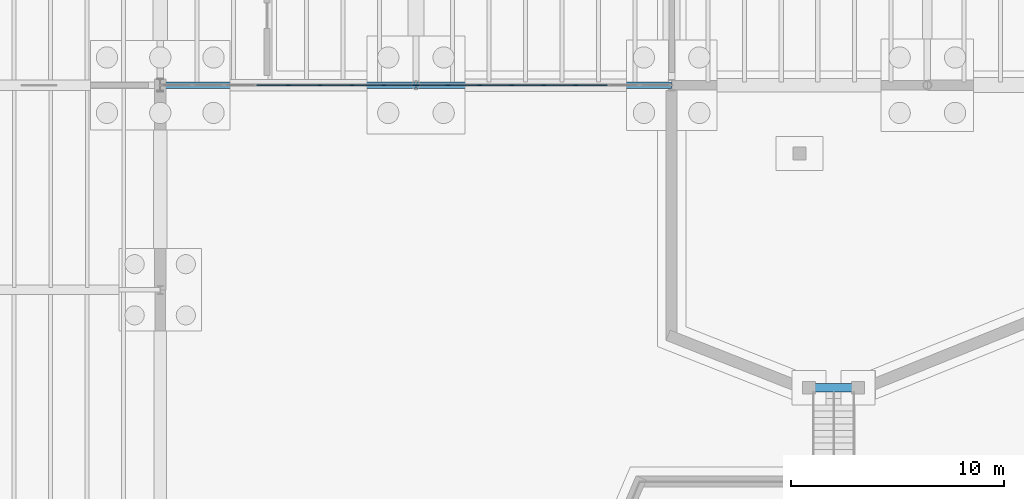
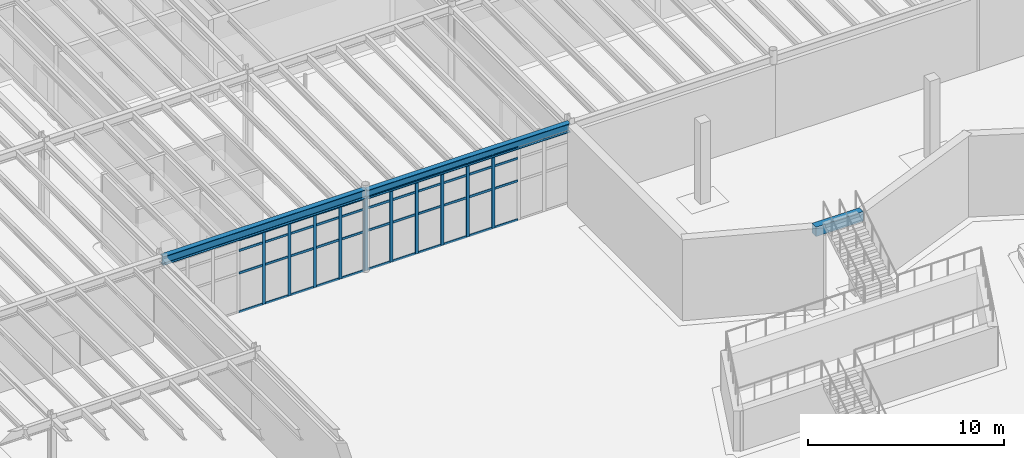
# One storey, part 24 of 67: 55 members, 3 beams, 2 elements without a shape of their own.
"""IFC4 building model written with IfcOpenShell, lengths in metres."""

import ifcopenshell
import ifcopenshell.guid

model = None  # the IFC model being written
_history = None  # IfcOwnerHistory: only IFC2X3 demands one
_inside = {}  # id of a spatial element -> (the spatial element, [elements in it])
_under = {}  # id of a project, library or spatial element -> (it, [spatial elements below it])
_declared = {}  # id of a project -> (the project, [libraries it declares])
_typed = {}  # id of a type object -> (the type object, [elements of that type])
_made_of = {}  # id of a material, layer set ... -> (it, [elements and type objects made of it])


def new_model(schema):
    """Start an empty IFC model of exactly this schema.

    Asked for "IFC4X3", IfcOpenShell would pick the latest addendum, in which some entities
    have other attributes; the version numbers below select the first issue.
    IFC2X3 requires an IfcOwnerHistory on every rooted entity: one is made here for all.
    """
    global model, _history
    if schema == "IFC4X3":
        model = ifcopenshell.file(schema_version=(4, 3, 0, 0))
    else:
        model = ifcopenshell.file(schema=schema)
    _inside.clear()
    _under.clear()
    _declared.clear()
    _typed.clear()
    _made_of.clear()
    _history = None
    if model.schema == "IFC2X3":
        org = make("IfcOrganization", Name="unknown")
        user = make(
            "IfcPersonAndOrganization",
            ThePerson=make("IfcPerson", FamilyName="unknown"),
            TheOrganization=org,
        )
        app = make(
            "IfcApplication",
            ApplicationDeveloper=org,
            Version="unknown",
            ApplicationFullName="unknown",
            ApplicationIdentifier="unknown",
        )
        _history = make(
            "IfcOwnerHistory",
            OwningUser=user,
            OwningApplication=app,
            ChangeAction="ADDED",
            CreationDate=0,
        )
    return model


def make(cls, **values):
    """One entity of the class cls with the attributes given. An attribute that is None is left unset."""
    return model.create_entity(
        cls, **{name: value for name, value in values.items() if value is not None}
    )


def rooted(cls, **values):
    """An entity with a GlobalId (a new one), such as an element, a storey or a relation."""
    return make(cls, GlobalId=ifcopenshell.guid.new(), OwnerHistory=_history, **values)


def si_unit(unit_type, name, prefix=None):
    """IfcSIUnit, for example si_unit("LENGTHUNIT", "METRE", prefix="MILLI")."""
    return make("IfcSIUnit", UnitType=unit_type, Prefix=prefix, Name=name)


def assignment(units):
    """IfcUnitAssignment: the units of a project."""
    return None if units is None else make("IfcUnitAssignment", Units=units)


def point(xyz):
    """IfcCartesianPoint."""
    return None if xyz is None else make("IfcCartesianPoint", Coordinates=xyz)


def direction(xyz):
    """IfcDirection."""
    return None if xyz is None else make("IfcDirection", DirectionRatios=xyz)


def frame(location, z_axis=None, x_axis=None):
    """IfcAxis2Placement3D, a coordinate frame: its origin and axes. An axis left out is left unset."""
    return make(
        "IfcAxis2Placement3D",
        Location=point(location),
        Axis=direction(z_axis),
        RefDirection=direction(x_axis),
    )


def frame_2d(location, x_axis=None):
    """IfcAxis2Placement2D, a coordinate frame in the plane: its origin and x axis."""
    return make(
        "IfcAxis2Placement2D", Location=point(location), RefDirection=direction(x_axis)
    )


def origin():
    """The frame at (0, 0, 0) with its axes left unset."""
    return frame((0.0, 0.0, 0.0))


def origin_2d():
    """The frame at (0, 0) in the plane with its x axis left unset."""
    return frame_2d((0.0, 0.0))


def place(relative_to, where):
    """IfcLocalPlacement: puts the frame where relative to a parent placement (None: the world)."""
    return make(
        "IfcLocalPlacement", PlacementRelTo=relative_to, RelativePlacement=where
    )


def context(
    kind, dimensions, precision=None, world=None, true_north=None, identifier=None
):
    """IfcGeometricRepresentationContext, for example the 3D "Model" context."""
    return make(
        "IfcGeometricRepresentationContext",
        ContextIdentifier=identifier,
        ContextType=kind,
        CoordinateSpaceDimension=dimensions,
        Precision=precision,
        WorldCoordinateSystem=world,
        TrueNorth=true_north,
    )


def subcontext(parent, identifier, kind, view, scale=None):
    """IfcGeometricRepresentationSubContext, for example "Body" below "Model"."""
    return make(
        "IfcGeometricRepresentationSubContext",
        ContextIdentifier=identifier,
        ContextType=kind,
        ParentContext=parent,
        TargetScale=scale,
        TargetView=view,
    )


def project(units=None, contexts=None):
    """IfcProject with its units and contexts."""
    return rooted(
        "IfcProject",
        Name="project",
        RepresentationContexts=contexts,
        UnitsInContext=assignment(units),
    )


def spatial(cls, under=None, at=None, **own):
    """A site, building, storey or space (cls), placed at a placement, below another one or the project."""
    s = rooted(cls, ObjectPlacement=at, **own)
    if under is not None:
        _under.setdefault(under.id(), (under, []))[1].append(s)
    return s


def profile(cls, at=None, kind="AREA", **sizes):
    """A parametric profile (cls). Its sizes go by their IFC names, for example OverallWidth=200.0."""
    return make(cls, ProfileType=kind, Position=at, **sizes)


def rectangle(**sizes):
    """IfcRectangleProfileDef."""
    return profile("IfcRectangleProfileDef", **sizes)


def i_section(**sizes):
    """IfcIShapeProfileDef."""
    return profile("IfcIShapeProfileDef", **sizes)


def extrude(swept, where, along, depth):
    """IfcExtrudedAreaSolid: the profile swept, set in the frame where, extruded along a direction by depth."""
    return make(
        "IfcExtrudedAreaSolid",
        SweptArea=swept,
        Position=where,
        ExtrudedDirection=direction(along),
        Depth=depth,
    )


def shape(context_of_items, identifier, shape_type, items):
    """IfcShapeRepresentation: the items that make up one representation, for example the "Body"."""
    return make(
        "IfcShapeRepresentation",
        ContextOfItems=context_of_items,
        RepresentationIdentifier=identifier,
        RepresentationType=shape_type,
        Items=items,
    )


def material(Name=None, Category=None):
    """IfcMaterial."""
    return make("IfcMaterial", Name=Name, Category=Category)


def layer(
    of_material, thickness, ventilated=None, Name=None, Category=None, Priority=None
):
    """IfcMaterialLayer: one layer of a wall or slab, of a material (None: an air gap)."""
    return make(
        "IfcMaterialLayer",
        Material=of_material,
        LayerThickness=thickness,
        IsVentilated=ventilated,
        Name=Name,
        Category=Category,
        Priority=Priority,
    )


def layer_set(layers, Name=None):
    """IfcMaterialLayerSet."""
    return make("IfcMaterialLayerSet", MaterialLayers=layers, LayerSetName=Name)


def material_profile(
    of_material, cross_section, Name=None, Category=None, Priority=None
):
    """IfcMaterialProfile: a cross section and its material."""
    return make(
        "IfcMaterialProfile",
        Name=Name,
        Material=of_material,
        Profile=cross_section,
        Priority=Priority,
        Category=Category,
    )


def profile_set(profiles, Name=None, composite=None):
    """IfcMaterialProfileSet."""
    return make(
        "IfcMaterialProfileSet",
        Name=Name,
        MaterialProfiles=profiles,
        CompositeProfile=composite,
    )


def made_of(thing, what):
    """Note that an element or type object is made of a material, layer set ...; save() writes the relation."""
    if what is not None:
        _made_of.setdefault(what.id(), (what, []))[1].append(thing)
    return thing


def type_object(cls, material=None, **own):
    """A type object (cls), such as IfcWallType, which elements share."""
    return made_of(rooted(cls, **own), material)


def element(
    cls,
    number,
    at=None,
    inside=None,
    cuts=None,
    type_object=None,
    material=None,
    context=None,
    identifier="Body",
    shape_type=None,
    held_by="IfcProductDefinitionShape",
    body=None,
    shapes=None,
    **own,
):
    """One element of the class cls, such as IfcWall. Its Tag is "e" and its number.

    at: its placement. inside: the storey or other place that contains it. cuts: it is an
    opening in that element (IfcRelVoidsElement). A single representation is given by context,
    identifier, shape_type and body (its items); several are given by shapes. held_by: the class
    of the entity that holds the representations. save() writes the other relations.
    """
    e = rooted(cls, Tag="e%d" % number, ObjectPlacement=at, **own)
    if body is not None:
        shapes = [shape(context, identifier, shape_type, body)]
    if shapes is not None:
        e.Representation = make(held_by, Representations=shapes)
    if inside is not None:
        _inside.setdefault(inside.id(), (inside, []))[1].append(e)
    if cuts is not None:
        rooted(
            "IfcRelVoidsElement", RelatingBuildingElement=cuts, RelatedOpeningElement=e
        )
    if type_object is not None:
        _typed.setdefault(type_object.id(), (type_object, []))[1].append(e)
    return made_of(e, material)


def aggregate(whole, parts):
    """IfcRelAggregates: a whole, such as a stair, and the parts it consists of."""
    return rooted("IfcRelAggregates", RelatingObject=whole, RelatedObjects=parts)


def save(model, path):
    """Write the relations noted so far, then the file.

    IfcRelAggregates (storeys below a building ...), IfcRelContainedInSpatialStructure (elements
    in a storey), IfcRelDefinesByType, IfcRelAssociatesMaterial and IfcRelDeclares: one each for
    every whole, place, type object, material and project.
    """
    for whole, parts in _under.values():
        aggregate(whole, parts)
    for where, things in _inside.values():
        rooted(
            "IfcRelContainedInSpatialStructure",
            RelatedElements=things,
            RelatingStructure=where,
        )
    for kind, things in _typed.values():
        rooted("IfcRelDefinesByType", RelatedObjects=things, RelatingType=kind)
    for what, things in _made_of.values():
        rooted("IfcRelAssociatesMaterial", RelatedObjects=things, RelatingMaterial=what)
    for by, libraries in _declared.values():
        rooted("IfcRelDeclares", RelatingContext=by, RelatedDefinitions=libraries)
    model.write(path)


model = new_model("IFC4")

# Units and contexts
model_context = context("Model", 3, precision=1e-05, world=origin(), true_north=direction((0.0, 1.0)))
body_context = subcontext(model_context, "Body", "Model", "MODEL_VIEW")
ifc_project = project(units=[si_unit("LENGTHUNIT", "METRE"), si_unit("AREAUNIT", "SQUARE_METRE"), si_unit("VOLUMEUNIT", "CUBIC_METRE"), si_unit("PLANEANGLEUNIT", "RADIAN"), si_unit("MASSUNIT", "GRAM", prefix="KILO")], contexts=[model_context])

# Site, building, storey
site_placement = place(None, origin())
site = spatial("IfcSite", under=ifc_project, at=site_placement, CompositionType="ELEMENT")
building_placement = place(site_placement, origin())
building = spatial("IfcBuilding", under=site, at=building_placement, Name="Zlatogorsky Bluff Art Gallery", CompositionType="ELEMENT")
storey_placement = place(building_placement, frame((0.0, 0.0, -5.39990234375)))
storey = spatial("IfcBuildingStorey", under=building, at=storey_placement, Name="B1", CompositionType="ELEMENT", Elevation=-5.39990234375)

# Beams
ifc_material_1 = material(Name="Steel S355", Category="steel")
ifc_material_profile_1 = material_profile(ifc_material_1, i_section(OverallWidth=0.300048828125, OverallDepth=0.550048828125, WebThickness=0.014892578125, FlangeThickness=0.029052734375, FilletRadius=0.027099609375, at=origin_2d()), Name="HEB 550")
ifc_profile_set_1 = profile_set([ifc_material_profile_1], Name="Steel S355")
beam_type_1 = type_object("IfcBeamType", Name="Beam BM-01 HEB 550", PredefinedType="BEAM", material=ifc_profile_set_1)
for number, where, z_axis, x_axis, name in (
    (1, (24.014892578125, 84.0, 4.844970703125), (1.0, 0.0, 0.0), (0.0, 1.0, 0.0), "Primary girder BM-01 B1 C-D/9"),
    (2, (36.014892578125, 84.0, 4.764892578125), (1.0, 0.0, 0.0), (0.0, 1.0, 0.0), "Primary girder BM-01 B1 D-E/9"),
):
    element("IfcBeam", number, at=place(storey_placement, frame(where, z_axis=z_axis, x_axis=x_axis)), inside=storey, type_object=beam_type_1, Name=name, PredefinedType="BEAM", context=body_context, shape_type="SweptSolid", body=[
        extrude(i_section(OverallWidth=0.300048828125, OverallDepth=0.550048828125, WebThickness=0.014892578125, FlangeThickness=0.029052734375, FilletRadius=0.027099609375, at=origin_2d()), origin(), (0.0, 0.0, 1.0), 11.97021484375),
    ])
ifc_material_2 = material(Name="Concrete C35/45", Category="concrete")
ifc_material_profile_2 = material_profile(ifc_material_2, rectangle(XDim=0.39990234375, YDim=0.60009765625, at=origin_2d()), Name="RCB 400x600")
ifc_profile_set_2 = profile_set([ifc_material_profile_2], Name="Concrete C35/45")
beam_type_2 = type_object("IfcBeamType", Name="Beam BM-15 RCB 400x600", PredefinedType="BEAM", material=ifc_profile_set_2)
beam_placement = place(storey_placement, frame((54.199951171875, 69.800048828125, 4.739990234375), z_axis=(1.0, 0.0, 0.0), x_axis=(0.0, 1.0, 0.0)))
element("IfcBeam", 3, at=beam_placement, inside=storey, type_object=beam_type_2, Name="Amphitheatre 1 upper landing header beam", PredefinedType="BEAM", context=body_context, shape_type="SweptSolid", body=[
    extrude(rectangle(XDim=0.39990234375, YDim=0.60009765625, at=origin_2d()), origin(), (0.0, 0.0, 1.0), 2.800048828125),
])

# Curtain wall, members
ifc_material_3 = material(Name="Anodised Bronze Aluminium and Low-Iron Triple Glazing", Category="aluminium")
ifc_layer_1 = layer(ifc_material_3, 0.179931640625)
ifc_layer_set_1 = layer_set([ifc_layer_1], Name="Curtain Wall CW-01")
curtain_wall_type_1 = type_object("IfcCurtainWallType", Name="Curtain Wall CW-01", PredefinedType="USERDEFINED", material=ifc_layer_set_1)
curtain_wall_1_placement = place(storey_placement, origin())
curtain_wall_1 = element("IfcCurtainWall", 4, at=curtain_wall_1_placement, inside=storey, type_object=curtain_wall_type_1, Name="Unitised curtain wall CW-01 B1 S 2.8", ObjectType="CURTAIN WALL", PredefinedType="USERDEFINED")
ifc_material_4 = material(Name="Anodised Bronze Aluminium", Category="aluminium")
ifc_material_profile_3 = material_profile(ifc_material_4, rectangle(XDim=0.06494140625, YDim=0.179931640625, at=origin_2d()), Name="ALU MULLION 65x180")
ifc_profile_set_3 = profile_set([ifc_material_profile_3], Name="Anodised Bronze Aluminium")
member_type_1 = type_object("IfcMemberType", Name="Curtain Mullion ML-01", PredefinedType="MULLION", material=ifc_profile_set_3)
member_1_placement = place(storey_placement, frame((30.0, 84.0, 0.0), z_axis=(0.0, 0.0, 1.0), x_axis=(0.0, 1.0, 0.0)))
member_1 = element("IfcMember", 5, at=member_1_placement, type_object=member_type_1, Name="CW-01 mullion 5", PredefinedType="MULLION", context=body_context, shape_type="SweptSolid", body=[
    extrude(rectangle(XDim=0.06494140625, YDim=0.179931640625, at=origin_2d()), origin(), (0.0, 0.0, 1.0), 4.539794921875),
])
member_2_placement = place(storey_placement, frame((31.5, 84.0, 0.0), z_axis=(0.0, 0.0, 1.0), x_axis=(0.0, 1.0, 0.0)))
member_2 = element("IfcMember", 6, at=member_2_placement, type_object=member_type_1, Name="CW-01 mullion 6", PredefinedType="MULLION", context=body_context, shape_type="SweptSolid", body=[
    extrude(rectangle(XDim=0.06494140625, YDim=0.179931640625, at=origin_2d()), origin(), (0.0, 0.0, 1.0), 4.539794921875),
])
member_3_placement = place(storey_placement, frame((33.0, 84.0, 0.0), z_axis=(0.0, 0.0, 1.0), x_axis=(0.0, 1.0, 0.0)))
member_3 = element("IfcMember", 7, at=member_3_placement, type_object=member_type_1, Name="CW-01 mullion 7", PredefinedType="MULLION", context=body_context, shape_type="SweptSolid", body=[
    extrude(rectangle(XDim=0.06494140625, YDim=0.179931640625, at=origin_2d()), origin(), (0.0, 0.0, 1.0), 4.539794921875),
])
member_4_placement = place(storey_placement, frame((34.5, 84.0, 0.0), z_axis=(0.0, 0.0, 1.0), x_axis=(0.0, 1.0, 0.0)))
member_4 = element("IfcMember", 8, at=member_4_placement, type_object=member_type_1, Name="CW-01 mullion 8", PredefinedType="MULLION", context=body_context, shape_type="SweptSolid", body=[
    extrude(rectangle(XDim=0.06494140625, YDim=0.179931640625, at=origin_2d()), origin(), (0.0, 0.0, 1.0), 4.539794921875),
])
member_5_placement = place(storey_placement, frame((35.967529296875, 84.0, 0.0), z_axis=(0.0, 0.0, 1.0), x_axis=(0.0, 1.0, 0.0)))
member_5 = element("IfcMember", 9, at=member_5_placement, type_object=member_type_1, Name="CW-01 mullion 9", PredefinedType="MULLION", context=body_context, shape_type="SweptSolid", body=[
    extrude(rectangle(XDim=0.06494140625, YDim=0.179931640625, at=origin_2d()), origin(), (0.0, 0.0, 1.0), 4.539794921875),
])

ifc_layer_2 = layer(ifc_material_3, 0.199951171875)
ifc_layer_set_2 = layer_set([ifc_layer_2], Name="Curtain Wall CW-02")
curtain_wall_type_2 = type_object("IfcCurtainWallType", Name="Curtain Wall CW-02", PredefinedType="USERDEFINED", material=ifc_layer_set_2)
curtain_wall_2_placement = place(storey_placement, origin())
curtain_wall_2 = element("IfcCurtainWall", 10, at=curtain_wall_2_placement, inside=storey, type_object=curtain_wall_type_2, Name="Unitised curtain wall CW-02 B1 S 3.8", ObjectType="CURTAIN WALL", PredefinedType="USERDEFINED")
member_6_placement = place(storey_placement, frame((36.032470703125, 84.0, 0.0), z_axis=(0.0, 0.0, 1.0), x_axis=(0.0, 1.0, 0.0)))
member_6 = element("IfcMember", 11, at=member_6_placement, type_object=member_type_1, Name="CW-02 mullion 1", PredefinedType="MULLION", context=body_context, shape_type="SweptSolid", body=[
    extrude(rectangle(XDim=0.06494140625, YDim=0.179931640625, at=origin_2d()), origin(), (0.0, 0.0, 1.0), 4.539794921875),
])
member_7_placement = place(storey_placement, frame((37.5, 84.0, 0.0), z_axis=(0.0, 0.0, 1.0), x_axis=(0.0, 1.0, 0.0)))
member_7 = element("IfcMember", 12, at=member_7_placement, type_object=member_type_1, Name="CW-02 mullion 2", PredefinedType="MULLION", context=body_context, shape_type="SweptSolid", body=[
    extrude(rectangle(XDim=0.06494140625, YDim=0.179931640625, at=origin_2d()), origin(), (0.0, 0.0, 1.0), 4.539794921875),
])
member_8_placement = place(storey_placement, frame((39.0, 84.0, 0.0), z_axis=(0.0, 0.0, 1.0), x_axis=(0.0, 1.0, 0.0)))
member_8 = element("IfcMember", 13, at=member_8_placement, type_object=member_type_1, Name="CW-02 mullion 3", PredefinedType="MULLION", context=body_context, shape_type="SweptSolid", body=[
    extrude(rectangle(XDim=0.06494140625, YDim=0.179931640625, at=origin_2d()), origin(), (0.0, 0.0, 1.0), 4.539794921875),
])
member_9_placement = place(storey_placement, frame((40.5, 84.0, 0.0), z_axis=(0.0, 0.0, 1.0), x_axis=(0.0, 1.0, 0.0)))
member_9 = element("IfcMember", 14, at=member_9_placement, type_object=member_type_1, Name="CW-02 mullion 4", PredefinedType="MULLION", context=body_context, shape_type="SweptSolid", body=[
    extrude(rectangle(XDim=0.06494140625, YDim=0.179931640625, at=origin_2d()), origin(), (0.0, 0.0, 1.0), 4.539794921875),
])
member_10_placement = place(storey_placement, frame((42.0, 84.0, 0.0), z_axis=(0.0, 0.0, 1.0), x_axis=(0.0, 1.0, 0.0)))
member_10 = element("IfcMember", 15, at=member_10_placement, type_object=member_type_1, Name="CW-02 mullion 5", PredefinedType="MULLION", context=body_context, shape_type="SweptSolid", body=[
    extrude(rectangle(XDim=0.06494140625, YDim=0.179931640625, at=origin_2d()), origin(), (0.0, 0.0, 1.0), 4.539794921875),
])
member_11_placement = place(storey_placement, frame((43.5, 84.0, 0.0), z_axis=(0.0, 0.0, 1.0), x_axis=(0.0, 1.0, 0.0)))
member_11 = element("IfcMember", 16, at=member_11_placement, type_object=member_type_1, Name="CW-02 mullion 6", PredefinedType="MULLION", context=body_context, shape_type="SweptSolid", body=[
    extrude(rectangle(XDim=0.06494140625, YDim=0.179931640625, at=origin_2d()), origin(), (0.0, 0.0, 1.0), 4.539794921875),
])

# Member
ifc_material_profile_4 = material_profile(ifc_material_4, rectangle(XDim=0.06494140625, YDim=0.139892578125, at=origin_2d()), Name="ALU TRANSOM 65x140")
ifc_profile_set_4 = profile_set([ifc_material_profile_4], Name="Anodised Bronze Aluminium")
member_type_2 = type_object("IfcMemberType", Name="Curtain Transom TR-01", PredefinedType="USERDEFINED", material=ifc_profile_set_4)
member_12_placement = place(storey_placement, frame((28.532470703125, 84.0, 0.032470703125), z_axis=(1.0, 0.0, 0.0), x_axis=(0.0, 1.0, 0.0)))
member_12 = element("IfcMember", 17, at=member_12_placement, type_object=member_type_2, Name="CW-01 transom 4.1", ObjectType="TRANSOM", PredefinedType="USERDEFINED", context=body_context, shape_type="SweptSolid", body=[
    extrude(rectangle(XDim=0.06494140625, YDim=0.139892578125, at=origin_2d()), origin(), (0.0, 0.0, 1.0), 1.43505859375),
])

member_13_placement = place(storey_placement, frame((28.532470703125, 84.0, 2.449951171875), z_axis=(1.0, 0.0, 0.0), x_axis=(0.0, 1.0, 0.0)))
member_13 = element("IfcMember", 18, at=member_13_placement, type_object=member_type_2, Name="CW-01 transom 4.2", ObjectType="TRANSOM", PredefinedType="USERDEFINED", context=body_context, shape_type="SweptSolid", body=[
    extrude(rectangle(XDim=0.06494140625, YDim=0.139892578125, at=origin_2d()), origin(), (0.0, 0.0, 1.0), 1.43505859375),
])

member_14_placement = place(storey_placement, frame((28.532470703125, 84.0, 3.849853515625), z_axis=(1.0, 0.0, 0.0), x_axis=(0.0, 1.0, 0.0)))
member_14 = element("IfcMember", 19, at=member_14_placement, type_object=member_type_2, Name="CW-01 transom 4.3", ObjectType="TRANSOM", PredefinedType="USERDEFINED", context=body_context, shape_type="SweptSolid", body=[
    extrude(rectangle(XDim=0.06494140625, YDim=0.139892578125, at=origin_2d()), origin(), (0.0, 0.0, 1.0), 1.43505859375),
])

member_15_placement = place(storey_placement, frame((28.532470703125, 84.0, 4.50732421875), z_axis=(1.0, 0.0, 0.0), x_axis=(0.0, 1.0, 0.0)))
member_15 = element("IfcMember", 20, at=member_15_placement, type_object=member_type_2, Name="CW-01 transom 4.4", ObjectType="TRANSOM", PredefinedType="USERDEFINED", context=body_context, shape_type="SweptSolid", body=[
    extrude(rectangle(XDim=0.06494140625, YDim=0.139892578125, at=origin_2d()), origin(), (0.0, 0.0, 1.0), 1.43505859375),
])

member_16_placement = place(storey_placement, frame((30.032470703125, 84.0, 0.032470703125), z_axis=(1.0, 0.0, 0.0), x_axis=(0.0, 1.0, 0.0)))
member_16 = element("IfcMember", 21, at=member_16_placement, type_object=member_type_2, Name="CW-01 transom 5.1", ObjectType="TRANSOM", PredefinedType="USERDEFINED", context=body_context, shape_type="SweptSolid", body=[
    extrude(rectangle(XDim=0.06494140625, YDim=0.139892578125, at=origin_2d()), origin(), (0.0, 0.0, 1.0), 1.43505859375),
])

member_17_placement = place(storey_placement, frame((30.032470703125, 84.0, 2.449951171875), z_axis=(1.0, 0.0, 0.0), x_axis=(0.0, 1.0, 0.0)))
member_17 = element("IfcMember", 22, at=member_17_placement, type_object=member_type_2, Name="CW-01 transom 5.2", ObjectType="TRANSOM", PredefinedType="USERDEFINED", context=body_context, shape_type="SweptSolid", body=[
    extrude(rectangle(XDim=0.06494140625, YDim=0.139892578125, at=origin_2d()), origin(), (0.0, 0.0, 1.0), 1.43505859375),
])

member_18_placement = place(storey_placement, frame((30.032470703125, 84.0, 3.849853515625), z_axis=(1.0, 0.0, 0.0), x_axis=(0.0, 1.0, 0.0)))
member_18 = element("IfcMember", 23, at=member_18_placement, type_object=member_type_2, Name="CW-01 transom 5.3", ObjectType="TRANSOM", PredefinedType="USERDEFINED", context=body_context, shape_type="SweptSolid", body=[
    extrude(rectangle(XDim=0.06494140625, YDim=0.139892578125, at=origin_2d()), origin(), (0.0, 0.0, 1.0), 1.43505859375),
])

member_19_placement = place(storey_placement, frame((30.032470703125, 84.0, 4.50732421875), z_axis=(1.0, 0.0, 0.0), x_axis=(0.0, 1.0, 0.0)))
member_19 = element("IfcMember", 24, at=member_19_placement, type_object=member_type_2, Name="CW-01 transom 5.4", ObjectType="TRANSOM", PredefinedType="USERDEFINED", context=body_context, shape_type="SweptSolid", body=[
    extrude(rectangle(XDim=0.06494140625, YDim=0.139892578125, at=origin_2d()), origin(), (0.0, 0.0, 1.0), 1.43505859375),
])

member_20_placement = place(storey_placement, frame((31.532470703125, 84.0, 0.032470703125), z_axis=(1.0, 0.0, 0.0), x_axis=(0.0, 1.0, 0.0)))
member_20 = element("IfcMember", 25, at=member_20_placement, type_object=member_type_2, Name="CW-01 transom 6.1", ObjectType="TRANSOM", PredefinedType="USERDEFINED", context=body_context, shape_type="SweptSolid", body=[
    extrude(rectangle(XDim=0.06494140625, YDim=0.139892578125, at=origin_2d()), origin(), (0.0, 0.0, 1.0), 1.43505859375),
])

member_21_placement = place(storey_placement, frame((31.532470703125, 84.0, 2.449951171875), z_axis=(1.0, 0.0, 0.0), x_axis=(0.0, 1.0, 0.0)))
member_21 = element("IfcMember", 26, at=member_21_placement, type_object=member_type_2, Name="CW-01 transom 6.2", ObjectType="TRANSOM", PredefinedType="USERDEFINED", context=body_context, shape_type="SweptSolid", body=[
    extrude(rectangle(XDim=0.06494140625, YDim=0.139892578125, at=origin_2d()), origin(), (0.0, 0.0, 1.0), 1.43505859375),
])

member_22_placement = place(storey_placement, frame((31.532470703125, 84.0, 3.849853515625), z_axis=(1.0, 0.0, 0.0), x_axis=(0.0, 1.0, 0.0)))
member_22 = element("IfcMember", 27, at=member_22_placement, type_object=member_type_2, Name="CW-01 transom 6.3", ObjectType="TRANSOM", PredefinedType="USERDEFINED", context=body_context, shape_type="SweptSolid", body=[
    extrude(rectangle(XDim=0.06494140625, YDim=0.139892578125, at=origin_2d()), origin(), (0.0, 0.0, 1.0), 1.43505859375),
])

member_23_placement = place(storey_placement, frame((31.532470703125, 84.0, 4.50732421875), z_axis=(1.0, 0.0, 0.0), x_axis=(0.0, 1.0, 0.0)))
member_23 = element("IfcMember", 28, at=member_23_placement, type_object=member_type_2, Name="CW-01 transom 6.4", ObjectType="TRANSOM", PredefinedType="USERDEFINED", context=body_context, shape_type="SweptSolid", body=[
    extrude(rectangle(XDim=0.06494140625, YDim=0.139892578125, at=origin_2d()), origin(), (0.0, 0.0, 1.0), 1.43505859375),
])

member_24_placement = place(storey_placement, frame((33.032470703125, 84.0, 0.032470703125), z_axis=(1.0, 0.0, 0.0), x_axis=(0.0, 1.0, 0.0)))
member_24 = element("IfcMember", 29, at=member_24_placement, type_object=member_type_2, Name="CW-01 transom 7.1", ObjectType="TRANSOM", PredefinedType="USERDEFINED", context=body_context, shape_type="SweptSolid", body=[
    extrude(rectangle(XDim=0.06494140625, YDim=0.139892578125, at=origin_2d()), origin(), (0.0, 0.0, 1.0), 1.43505859375),
])

member_25_placement = place(storey_placement, frame((33.032470703125, 84.0, 2.449951171875), z_axis=(1.0, 0.0, 0.0), x_axis=(0.0, 1.0, 0.0)))
member_25 = element("IfcMember", 30, at=member_25_placement, type_object=member_type_2, Name="CW-01 transom 7.2", ObjectType="TRANSOM", PredefinedType="USERDEFINED", context=body_context, shape_type="SweptSolid", body=[
    extrude(rectangle(XDim=0.06494140625, YDim=0.139892578125, at=origin_2d()), origin(), (0.0, 0.0, 1.0), 1.43505859375),
])

member_26_placement = place(storey_placement, frame((33.032470703125, 84.0, 3.849853515625), z_axis=(1.0, 0.0, 0.0), x_axis=(0.0, 1.0, 0.0)))
member_26 = element("IfcMember", 31, at=member_26_placement, type_object=member_type_2, Name="CW-01 transom 7.3", ObjectType="TRANSOM", PredefinedType="USERDEFINED", context=body_context, shape_type="SweptSolid", body=[
    extrude(rectangle(XDim=0.06494140625, YDim=0.139892578125, at=origin_2d()), origin(), (0.0, 0.0, 1.0), 1.43505859375),
])

member_27_placement = place(storey_placement, frame((33.032470703125, 84.0, 4.50732421875), z_axis=(1.0, 0.0, 0.0), x_axis=(0.0, 1.0, 0.0)))
member_27 = element("IfcMember", 32, at=member_27_placement, type_object=member_type_2, Name="CW-01 transom 7.4", ObjectType="TRANSOM", PredefinedType="USERDEFINED", context=body_context, shape_type="SweptSolid", body=[
    extrude(rectangle(XDim=0.06494140625, YDim=0.139892578125, at=origin_2d()), origin(), (0.0, 0.0, 1.0), 1.43505859375),
])

member_28_placement = place(storey_placement, frame((34.532470703125, 84.0, 0.032470703125), z_axis=(1.0, 0.0, 0.0), x_axis=(0.0, 1.0, 0.0)))
member_28 = element("IfcMember", 33, at=member_28_placement, type_object=member_type_2, Name="CW-01 transom 8.1", ObjectType="TRANSOM", PredefinedType="USERDEFINED", context=body_context, shape_type="SweptSolid", body=[
    extrude(rectangle(XDim=0.06494140625, YDim=0.139892578125, at=origin_2d()), origin(), (0.0, 0.0, 1.0), 1.402587890625),
])

member_29_placement = place(storey_placement, frame((34.532470703125, 84.0, 2.449951171875), z_axis=(1.0, 0.0, 0.0), x_axis=(0.0, 1.0, 0.0)))
member_29 = element("IfcMember", 34, at=member_29_placement, type_object=member_type_2, Name="CW-01 transom 8.2", ObjectType="TRANSOM", PredefinedType="USERDEFINED", context=body_context, shape_type="SweptSolid", body=[
    extrude(rectangle(XDim=0.06494140625, YDim=0.139892578125, at=origin_2d()), origin(), (0.0, 0.0, 1.0), 1.402587890625),
])

member_30_placement = place(storey_placement, frame((34.532470703125, 84.0, 3.849853515625), z_axis=(1.0, 0.0, 0.0), x_axis=(0.0, 1.0, 0.0)))
member_30 = element("IfcMember", 35, at=member_30_placement, type_object=member_type_2, Name="CW-01 transom 8.3", ObjectType="TRANSOM", PredefinedType="USERDEFINED", context=body_context, shape_type="SweptSolid", body=[
    extrude(rectangle(XDim=0.06494140625, YDim=0.139892578125, at=origin_2d()), origin(), (0.0, 0.0, 1.0), 1.402587890625),
])

member_31_placement = place(storey_placement, frame((34.532470703125, 84.0, 4.50732421875), z_axis=(1.0, 0.0, 0.0), x_axis=(0.0, 1.0, 0.0)))
member_31 = element("IfcMember", 36, at=member_31_placement, type_object=member_type_2, Name="CW-01 transom 8.4", ObjectType="TRANSOM", PredefinedType="USERDEFINED", context=body_context, shape_type="SweptSolid", body=[
    extrude(rectangle(XDim=0.06494140625, YDim=0.139892578125, at=origin_2d()), origin(), (0.0, 0.0, 1.0), 1.402587890625),
])

aggregate(curtain_wall_1, [member_1, member_2, member_3, member_4, member_5, member_12, member_13, member_14, member_15, member_16, member_17, member_18, member_19, member_20, member_21, member_22, member_23, member_24, member_25, member_26, member_27, member_28, member_29, member_30, member_31])

member_32_placement = place(storey_placement, frame((36.06494140625, 84.0, 0.032470703125), z_axis=(1.0, 0.0, 0.0), x_axis=(0.0, 1.0, 0.0)))
member_32 = element("IfcMember", 37, at=member_32_placement, type_object=member_type_2, Name="CW-02 transom 1.1", ObjectType="TRANSOM", PredefinedType="USERDEFINED", context=body_context, shape_type="SweptSolid", body=[
    extrude(rectangle(XDim=0.06494140625, YDim=0.139892578125, at=origin_2d()), origin(), (0.0, 0.0, 1.0), 1.402587890625),
])

member_33_placement = place(storey_placement, frame((36.06494140625, 84.0, 2.449951171875), z_axis=(1.0, 0.0, 0.0), x_axis=(0.0, 1.0, 0.0)))
member_33 = element("IfcMember", 38, at=member_33_placement, type_object=member_type_2, Name="CW-02 transom 1.2", ObjectType="TRANSOM", PredefinedType="USERDEFINED", context=body_context, shape_type="SweptSolid", body=[
    extrude(rectangle(XDim=0.06494140625, YDim=0.139892578125, at=origin_2d()), origin(), (0.0, 0.0, 1.0), 1.402587890625),
])

member_34_placement = place(storey_placement, frame((36.06494140625, 84.0, 3.849853515625), z_axis=(1.0, 0.0, 0.0), x_axis=(0.0, 1.0, 0.0)))
member_34 = element("IfcMember", 39, at=member_34_placement, type_object=member_type_2, Name="CW-02 transom 1.3", ObjectType="TRANSOM", PredefinedType="USERDEFINED", context=body_context, shape_type="SweptSolid", body=[
    extrude(rectangle(XDim=0.06494140625, YDim=0.139892578125, at=origin_2d()), origin(), (0.0, 0.0, 1.0), 1.402587890625),
])

member_35_placement = place(storey_placement, frame((36.06494140625, 84.0, 4.50732421875), z_axis=(1.0, 0.0, 0.0), x_axis=(0.0, 1.0, 0.0)))
member_35 = element("IfcMember", 40, at=member_35_placement, type_object=member_type_2, Name="CW-02 transom 1.4", ObjectType="TRANSOM", PredefinedType="USERDEFINED", context=body_context, shape_type="SweptSolid", body=[
    extrude(rectangle(XDim=0.06494140625, YDim=0.139892578125, at=origin_2d()), origin(), (0.0, 0.0, 1.0), 1.402587890625),
])

member_36_placement = place(storey_placement, frame((37.532470703125, 84.0, 0.032470703125), z_axis=(1.0, 0.0, 0.0), x_axis=(0.0, 1.0, 0.0)))
member_36 = element("IfcMember", 41, at=member_36_placement, type_object=member_type_2, Name="CW-02 transom 2.1", ObjectType="TRANSOM", PredefinedType="USERDEFINED", context=body_context, shape_type="SweptSolid", body=[
    extrude(rectangle(XDim=0.06494140625, YDim=0.139892578125, at=origin_2d()), origin(), (0.0, 0.0, 1.0), 1.43505859375),
])

member_37_placement = place(storey_placement, frame((37.532470703125, 84.0, 2.449951171875), z_axis=(1.0, 0.0, 0.0), x_axis=(0.0, 1.0, 0.0)))
member_37 = element("IfcMember", 42, at=member_37_placement, type_object=member_type_2, Name="CW-02 transom 2.2", ObjectType="TRANSOM", PredefinedType="USERDEFINED", context=body_context, shape_type="SweptSolid", body=[
    extrude(rectangle(XDim=0.06494140625, YDim=0.139892578125, at=origin_2d()), origin(), (0.0, 0.0, 1.0), 1.43505859375),
])

member_38_placement = place(storey_placement, frame((37.532470703125, 84.0, 3.849853515625), z_axis=(1.0, 0.0, 0.0), x_axis=(0.0, 1.0, 0.0)))
member_38 = element("IfcMember", 43, at=member_38_placement, type_object=member_type_2, Name="CW-02 transom 2.3", ObjectType="TRANSOM", PredefinedType="USERDEFINED", context=body_context, shape_type="SweptSolid", body=[
    extrude(rectangle(XDim=0.06494140625, YDim=0.139892578125, at=origin_2d()), origin(), (0.0, 0.0, 1.0), 1.43505859375),
])

member_39_placement = place(storey_placement, frame((37.532470703125, 84.0, 4.50732421875), z_axis=(1.0, 0.0, 0.0), x_axis=(0.0, 1.0, 0.0)))
member_39 = element("IfcMember", 44, at=member_39_placement, type_object=member_type_2, Name="CW-02 transom 2.4", ObjectType="TRANSOM", PredefinedType="USERDEFINED", context=body_context, shape_type="SweptSolid", body=[
    extrude(rectangle(XDim=0.06494140625, YDim=0.139892578125, at=origin_2d()), origin(), (0.0, 0.0, 1.0), 1.43505859375),
])

member_40_placement = place(storey_placement, frame((39.032470703125, 84.0, 0.032470703125), z_axis=(1.0, 0.0, 0.0), x_axis=(0.0, 1.0, 0.0)))
member_40 = element("IfcMember", 45, at=member_40_placement, type_object=member_type_2, Name="CW-02 transom 3.1", ObjectType="TRANSOM", PredefinedType="USERDEFINED", context=body_context, shape_type="SweptSolid", body=[
    extrude(rectangle(XDim=0.06494140625, YDim=0.139892578125, at=origin_2d()), origin(), (0.0, 0.0, 1.0), 1.43505859375),
])

member_41_placement = place(storey_placement, frame((39.032470703125, 84.0, 2.449951171875), z_axis=(1.0, 0.0, 0.0), x_axis=(0.0, 1.0, 0.0)))
member_41 = element("IfcMember", 46, at=member_41_placement, type_object=member_type_2, Name="CW-02 transom 3.2", ObjectType="TRANSOM", PredefinedType="USERDEFINED", context=body_context, shape_type="SweptSolid", body=[
    extrude(rectangle(XDim=0.06494140625, YDim=0.139892578125, at=origin_2d()), origin(), (0.0, 0.0, 1.0), 1.43505859375),
])

member_42_placement = place(storey_placement, frame((39.032470703125, 84.0, 3.849853515625), z_axis=(1.0, 0.0, 0.0), x_axis=(0.0, 1.0, 0.0)))
member_42 = element("IfcMember", 47, at=member_42_placement, type_object=member_type_2, Name="CW-02 transom 3.3", ObjectType="TRANSOM", PredefinedType="USERDEFINED", context=body_context, shape_type="SweptSolid", body=[
    extrude(rectangle(XDim=0.06494140625, YDim=0.139892578125, at=origin_2d()), origin(), (0.0, 0.0, 1.0), 1.43505859375),
])

member_43_placement = place(storey_placement, frame((39.032470703125, 84.0, 4.50732421875), z_axis=(1.0, 0.0, 0.0), x_axis=(0.0, 1.0, 0.0)))
member_43 = element("IfcMember", 48, at=member_43_placement, type_object=member_type_2, Name="CW-02 transom 3.4", ObjectType="TRANSOM", PredefinedType="USERDEFINED", context=body_context, shape_type="SweptSolid", body=[
    extrude(rectangle(XDim=0.06494140625, YDim=0.139892578125, at=origin_2d()), origin(), (0.0, 0.0, 1.0), 1.43505859375),
])

member_44_placement = place(storey_placement, frame((40.532470703125, 84.0, 0.032470703125), z_axis=(1.0, 0.0, 0.0), x_axis=(0.0, 1.0, 0.0)))
member_44 = element("IfcMember", 49, at=member_44_placement, type_object=member_type_2, Name="CW-02 transom 4.1", ObjectType="TRANSOM", PredefinedType="USERDEFINED", context=body_context, shape_type="SweptSolid", body=[
    extrude(rectangle(XDim=0.06494140625, YDim=0.139892578125, at=origin_2d()), origin(), (0.0, 0.0, 1.0), 1.43505859375),
])

member_45_placement = place(storey_placement, frame((40.532470703125, 84.0, 2.449951171875), z_axis=(1.0, 0.0, 0.0), x_axis=(0.0, 1.0, 0.0)))
member_45 = element("IfcMember", 50, at=member_45_placement, type_object=member_type_2, Name="CW-02 transom 4.2", ObjectType="TRANSOM", PredefinedType="USERDEFINED", context=body_context, shape_type="SweptSolid", body=[
    extrude(rectangle(XDim=0.06494140625, YDim=0.139892578125, at=origin_2d()), origin(), (0.0, 0.0, 1.0), 1.43505859375),
])

member_46_placement = place(storey_placement, frame((40.532470703125, 84.0, 3.849853515625), z_axis=(1.0, 0.0, 0.0), x_axis=(0.0, 1.0, 0.0)))
member_46 = element("IfcMember", 51, at=member_46_placement, type_object=member_type_2, Name="CW-02 transom 4.3", ObjectType="TRANSOM", PredefinedType="USERDEFINED", context=body_context, shape_type="SweptSolid", body=[
    extrude(rectangle(XDim=0.06494140625, YDim=0.139892578125, at=origin_2d()), origin(), (0.0, 0.0, 1.0), 1.43505859375),
])

member_47_placement = place(storey_placement, frame((40.532470703125, 84.0, 4.50732421875), z_axis=(1.0, 0.0, 0.0), x_axis=(0.0, 1.0, 0.0)))
member_47 = element("IfcMember", 52, at=member_47_placement, type_object=member_type_2, Name="CW-02 transom 4.4", ObjectType="TRANSOM", PredefinedType="USERDEFINED", context=body_context, shape_type="SweptSolid", body=[
    extrude(rectangle(XDim=0.06494140625, YDim=0.139892578125, at=origin_2d()), origin(), (0.0, 0.0, 1.0), 1.43505859375),
])

member_48_placement = place(storey_placement, frame((42.032470703125, 84.0, 0.032470703125), z_axis=(1.0, 0.0, 0.0), x_axis=(0.0, 1.0, 0.0)))
member_48 = element("IfcMember", 53, at=member_48_placement, type_object=member_type_2, Name="CW-02 transom 5.1", ObjectType="TRANSOM", PredefinedType="USERDEFINED", context=body_context, shape_type="SweptSolid", body=[
    extrude(rectangle(XDim=0.06494140625, YDim=0.139892578125, at=origin_2d()), origin(), (0.0, 0.0, 1.0), 1.43505859375),
])

member_49_placement = place(storey_placement, frame((42.032470703125, 84.0, 2.449951171875), z_axis=(1.0, 0.0, 0.0), x_axis=(0.0, 1.0, 0.0)))
member_49 = element("IfcMember", 54, at=member_49_placement, type_object=member_type_2, Name="CW-02 transom 5.2", ObjectType="TRANSOM", PredefinedType="USERDEFINED", context=body_context, shape_type="SweptSolid", body=[
    extrude(rectangle(XDim=0.06494140625, YDim=0.139892578125, at=origin_2d()), origin(), (0.0, 0.0, 1.0), 1.43505859375),
])

member_50_placement = place(storey_placement, frame((42.032470703125, 84.0, 3.849853515625), z_axis=(1.0, 0.0, 0.0), x_axis=(0.0, 1.0, 0.0)))
member_50 = element("IfcMember", 55, at=member_50_placement, type_object=member_type_2, Name="CW-02 transom 5.3", ObjectType="TRANSOM", PredefinedType="USERDEFINED", context=body_context, shape_type="SweptSolid", body=[
    extrude(rectangle(XDim=0.06494140625, YDim=0.139892578125, at=origin_2d()), origin(), (0.0, 0.0, 1.0), 1.43505859375),
])

member_51_placement = place(storey_placement, frame((42.032470703125, 84.0, 4.50732421875), z_axis=(1.0, 0.0, 0.0), x_axis=(0.0, 1.0, 0.0)))
member_51 = element("IfcMember", 56, at=member_51_placement, type_object=member_type_2, Name="CW-02 transom 5.4", ObjectType="TRANSOM", PredefinedType="USERDEFINED", context=body_context, shape_type="SweptSolid", body=[
    extrude(rectangle(XDim=0.06494140625, YDim=0.139892578125, at=origin_2d()), origin(), (0.0, 0.0, 1.0), 1.43505859375),
])

member_52_placement = place(storey_placement, frame((43.532470703125, 84.0, 0.032470703125), z_axis=(1.0, 0.0, 0.0), x_axis=(0.0, 1.0, 0.0)))
member_52 = element("IfcMember", 57, at=member_52_placement, type_object=member_type_2, Name="CW-02 transom 6.1", ObjectType="TRANSOM", PredefinedType="USERDEFINED", context=body_context, shape_type="SweptSolid", body=[
    extrude(rectangle(XDim=0.06494140625, YDim=0.139892578125, at=origin_2d()), origin(), (0.0, 0.0, 1.0), 1.43505859375),
])

member_53_placement = place(storey_placement, frame((43.532470703125, 84.0, 2.449951171875), z_axis=(1.0, 0.0, 0.0), x_axis=(0.0, 1.0, 0.0)))
member_53 = element("IfcMember", 58, at=member_53_placement, type_object=member_type_2, Name="CW-02 transom 6.2", ObjectType="TRANSOM", PredefinedType="USERDEFINED", context=body_context, shape_type="SweptSolid", body=[
    extrude(rectangle(XDim=0.06494140625, YDim=0.139892578125, at=origin_2d()), origin(), (0.0, 0.0, 1.0), 1.43505859375),
])

member_54_placement = place(storey_placement, frame((43.532470703125, 84.0, 3.849853515625), z_axis=(1.0, 0.0, 0.0), x_axis=(0.0, 1.0, 0.0)))
member_54 = element("IfcMember", 59, at=member_54_placement, type_object=member_type_2, Name="CW-02 transom 6.3", ObjectType="TRANSOM", PredefinedType="USERDEFINED", context=body_context, shape_type="SweptSolid", body=[
    extrude(rectangle(XDim=0.06494140625, YDim=0.139892578125, at=origin_2d()), origin(), (0.0, 0.0, 1.0), 1.43505859375),
])

member_55_placement = place(storey_placement, frame((43.532470703125, 84.0, 4.50732421875), z_axis=(1.0, 0.0, 0.0), x_axis=(0.0, 1.0, 0.0)))
member_55 = element("IfcMember", 60, at=member_55_placement, type_object=member_type_2, Name="CW-02 transom 6.4", ObjectType="TRANSOM", PredefinedType="USERDEFINED", context=body_context, shape_type="SweptSolid", body=[
    extrude(rectangle(XDim=0.06494140625, YDim=0.139892578125, at=origin_2d()), origin(), (0.0, 0.0, 1.0), 1.43505859375),
])

aggregate(curtain_wall_2, [member_6, member_7, member_8, member_9, member_10, member_11, member_32, member_33, member_34, member_35, member_36, member_37, member_38, member_39, member_40, member_41, member_42, member_43, member_44, member_45, member_46, member_47, member_48, member_49, member_50, member_51, member_52, member_53, member_54, member_55])

save(model, "model.ifc")
